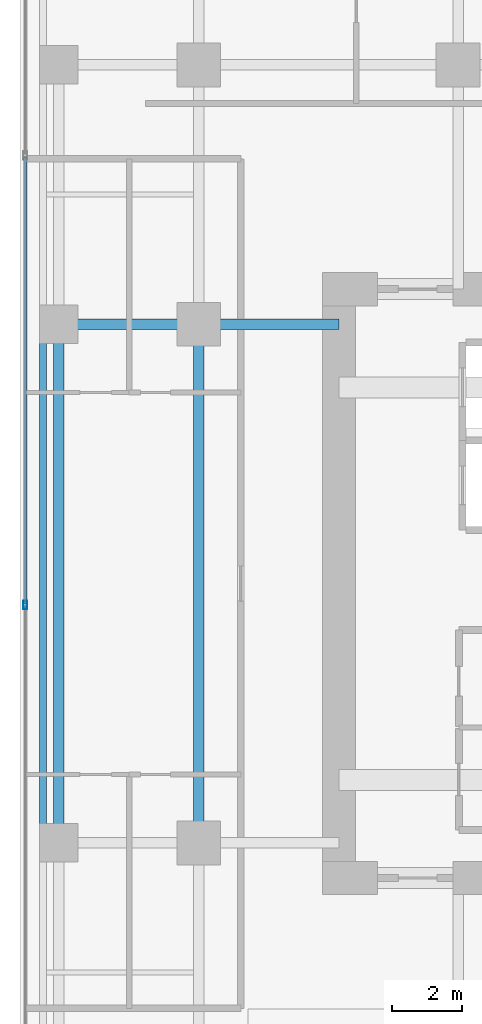
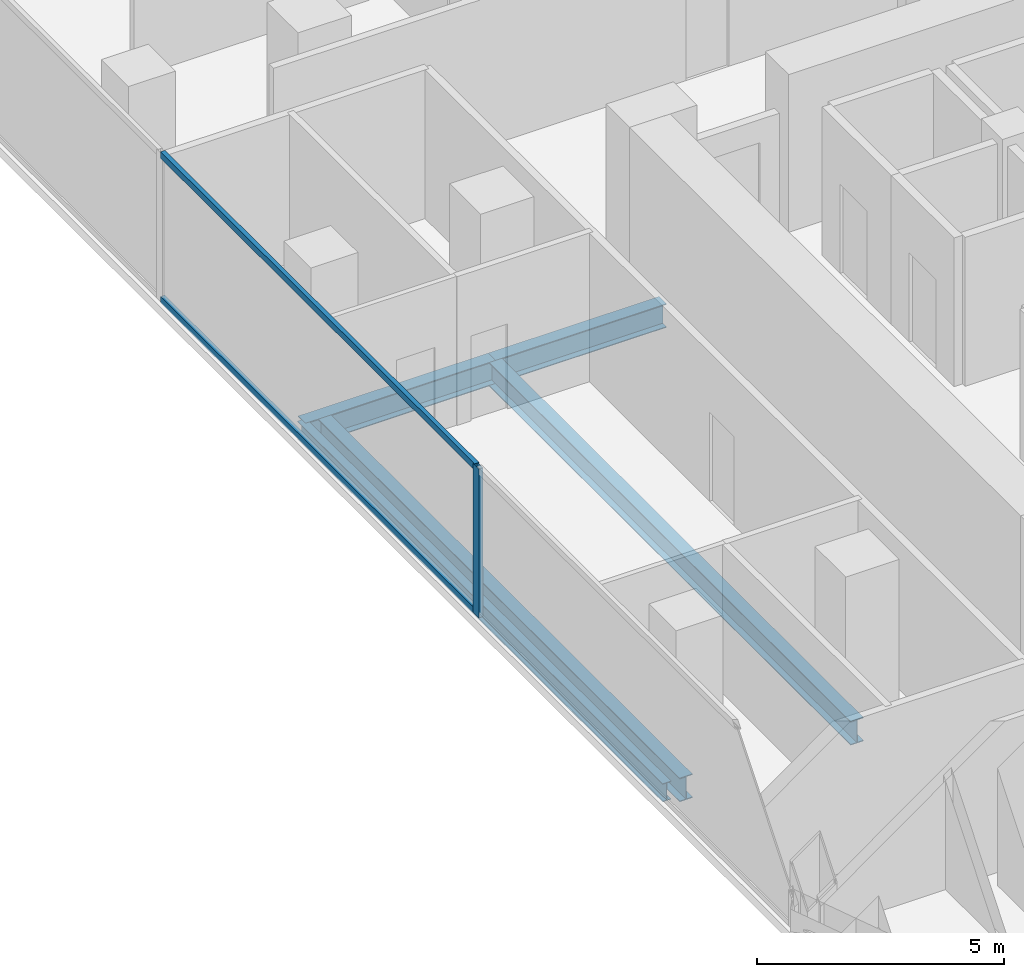
# One storey, part 6 of 27: 5 beams, 3 members, 1 element without a shape of its own.
"""IFC4 building model written with IfcOpenShell, lengths in metres."""

from ifc_helpers import new_model, si_unit, direction, frame, origin, origin_2d, place, context, subcontext, project, spatial, hollow_rectangle, i_section, extrude, material, layer, layer_set, material_profile, profile_set, type_object, element, aggregate, save


model = new_model("IFC4")

# Units and contexts
model_context = context("Model", 3, precision=1e-05, world=origin(), true_north=direction((0.0, 1.0)))
body_context = subcontext(model_context, "Body", "Model", "MODEL_VIEW")
ifc_project = project(units=[si_unit("LENGTHUNIT", "METRE"), si_unit("AREAUNIT", "SQUARE_METRE"), si_unit("VOLUMEUNIT", "CUBIC_METRE"), si_unit("PLANEANGLEUNIT", "RADIAN"), si_unit("MASSUNIT", "GRAM", prefix="KILO")], contexts=[model_context])

# Site, building, storey
site_placement = place(None, origin())
site = spatial("IfcSite", under=ifc_project, at=site_placement, CompositionType="ELEMENT")
building_placement = place(site_placement, origin())
building = spatial("IfcBuilding", under=site, at=building_placement, Name="Khorvyn Point Tower", CompositionType="ELEMENT")
storey_placement = place(building_placement, frame((0.0, 0.0, 129.0)))
storey = spatial("IfcBuildingStorey", under=building, at=storey_placement, Name="L32", CompositionType="ELEMENT", Elevation=129.0)

# Curtain wall, members
ifc_material_1 = material(Name="Anodised aluminium 6063-T6 and laminated Low-E glass", Category="aluminium")
ifc_layer = layer(ifc_material_1, 0.18994140625)
ifc_layer_set = layer_set([ifc_layer], Name="Stick-Built Acoustic Curtain Wall CW-SYS-03")
curtain_wall_type = type_object("IfcCurtainWallType", Name="Stick-Built Acoustic Curtain Wall CW-SYS-03", PredefinedType="NOTDEFINED", material=ifc_layer_set)
curtain_wall_placement = place(storey_placement, origin())
curtain_wall = element("IfcCurtainWall", 1, at=curtain_wall_placement, inside=storey, type_object=curtain_wall_type, Name="Curtain Wall", PredefinedType="NOTDEFINED")
ifc_material_2 = material(Name="Anodised aluminium 6063-T6", Category="aluminium")
ifc_material_profile_1 = material_profile(ifc_material_2, hollow_rectangle(XDim=0.10009765625, YDim=0.239990234375, WallThickness=0.0048828125, at=origin_2d()))
ifc_profile_set_1 = profile_set([ifc_material_profile_1], Name="Anodised aluminium 6063-T6 ALU-MUL-100x240")
member_type_1 = type_object("IfcMemberType", Name="Anodised Aluminium 6063-T6 Mullion ALU-MUL-100x240", PredefinedType="MULLION", material=ifc_profile_set_1)
member_1_placement = place(storey_placement, frame((-19.75, -0.61669921875, 0.0), z_axis=(0.0, 0.0, 1.0), x_axis=(-1.0, 0.0, 0.0)))
member_1 = element("IfcMember", 2, at=member_1_placement, type_object=member_type_1, Name="Transom", PredefinedType="MULLION", context=body_context, shape_type="SweptSolid", body=[
    extrude(hollow_rectangle(XDim=0.10009765625, YDim=0.239990234375, WallThickness=0.0048828125, at=origin_2d()), origin(), (0.0, 0.0, 1.0), 3.679931640625),
])
ifc_material_profile_2 = material_profile(ifc_material_2, hollow_rectangle(XDim=0.10009765625, YDim=0.159912109375, WallThickness=0.00439453125, at=origin_2d()))
ifc_profile_set_2 = profile_set([ifc_material_profile_2], Name="Anodised aluminium 6063-T6 ALU-TRN-100x160")
member_type_2 = type_object("IfcMemberType", Name="Anodised Aluminium 6063-T6 Transom ALU-TRN-100x160", PredefinedType="USERDEFINED", material=ifc_profile_set_2)
member_2_placement = place(storey_placement, frame((-19.75, -0.566650390625, 0.050048828125), z_axis=(0.0, 1.0, 0.0), x_axis=(-1.0, 0.0, 0.0)))
member_2 = element("IfcMember", 3, at=member_2_placement, type_object=member_type_2, Name="Transom", ObjectType="TRANSOM", PredefinedType="USERDEFINED", context=body_context, shape_type="SweptSolid", body=[
    extrude(hollow_rectangle(XDim=0.10009765625, YDim=0.159912109375, WallThickness=0.00439453125, at=origin_2d()), origin(), (0.0, 0.0, 1.0), 12.7333984375),
])
member_3_placement = place(storey_placement, frame((-19.75, -0.566650390625, 3.6298828125), z_axis=(0.0, 1.0, 0.0), x_axis=(-1.0, 0.0, 0.0)))
member_3 = element("IfcMember", 4, at=member_3_placement, type_object=member_type_2, Name="Transom", ObjectType="TRANSOM", PredefinedType="USERDEFINED", context=body_context, shape_type="SweptSolid", body=[
    extrude(hollow_rectangle(XDim=0.10009765625, YDim=0.159912109375, WallThickness=0.00439453125, at=origin_2d()), origin(), (0.0, 0.0, 1.0), 12.7333984375),
])
aggregate(curtain_wall, [member_1, member_2, member_3])

# Beams
ifc_material_3 = material(Name="Steel S355", Category="steel")
ifc_material_profile_3 = material_profile(ifc_material_3, i_section(OverallWidth=0.300048828125, OverallDepth=0.587890625, WebThickness=0.011962890625, FlangeThickness=0.02001953125, at=origin_2d()))
ifc_profile_set_3 = profile_set([ifc_material_profile_3], Name="Steel S355 H588x300x12x20")
beam_type_1 = type_object("IfcBeamType", Name="Steel S355 Beam H588x300x12x20", PredefinedType="BEAM", material=ifc_profile_set_3)
beam_1_placement = place(storey_placement, frame((-19.25, 7.39990234375, -0.513916015625), z_axis=(1.0, 0.0, 0.0), x_axis=(0.0, 1.0, 0.0)))
element("IfcBeam", 5, at=beam_1_placement, inside=storey, type_object=beam_type_1, Name="Beam", PredefinedType="BEAM", context=body_context, shape_type="SweptSolid", body=[
    extrude(i_section(OverallWidth=0.300048828125, OverallDepth=0.587890625, WebThickness=0.011962890625, FlangeThickness=0.02001953125, at=origin_2d()), origin(), (0.0, 0.0, 1.0), 4.449951171875),
])
beam_2_placement = place(storey_placement, frame((-14.800048828125, 7.39990234375, -0.513916015625), z_axis=(1.0, 0.0, 0.0), x_axis=(0.0, 1.0, 0.0)))
element("IfcBeam", 6, at=beam_2_placement, inside=storey, type_object=beam_type_1, Name="Beam", PredefinedType="BEAM", context=body_context, shape_type="SweptSolid", body=[
    extrude(i_section(OverallWidth=0.300048828125, OverallDepth=0.587890625, WebThickness=0.011962890625, FlangeThickness=0.02001953125, at=origin_2d()), origin(), (0.0, 0.0, 1.0), 4.0),
])
for number, where, z_axis, x_axis, name in (
    (7, (-14.800048828125, -7.39990234375, -0.513916015625), (0.0, 1.0, 0.0), (-1.0, 0.0, 0.0), "Beam"),
    (8, (-18.800048828125, -7.39990234375, -0.513916015625), (0.0, 1.0, 0.0), (-1.0, 0.0, 0.0), "Beam"),
):
    element("IfcBeam", number, at=place(storey_placement, frame(where, z_axis=z_axis, x_axis=x_axis)), inside=storey, type_object=beam_type_1, Name=name, PredefinedType="BEAM", context=body_context, shape_type="SweptSolid", body=[
        extrude(i_section(OverallWidth=0.300048828125, OverallDepth=0.587890625, WebThickness=0.011962890625, FlangeThickness=0.02001953125, at=origin_2d()), origin(), (0.0, 0.0, 1.0), 14.7998046875),
    ])
ifc_material_profile_4 = material_profile(ifc_material_3, i_section(OverallWidth=0.199951171875, OverallDepth=0.449951171875, WebThickness=0.009033203125, FlangeThickness=0.013916015625, at=origin_2d()))
ifc_profile_set_4 = profile_set([ifc_material_profile_4], Name="Steel S355 H450x200x9x14")
beam_type_2 = type_object("IfcBeamType", Name="Steel S355 Spandrel H450x200x9x14", PredefinedType="SPANDREL", material=ifc_profile_set_4)
beam_3_placement = place(storey_placement, frame((-19.25, -7.39990234375, -0.445068359375), z_axis=(0.0, 1.0, 0.0), x_axis=(-1.0, 0.0, 0.0)))
element("IfcBeam", 9, at=beam_3_placement, inside=storey, type_object=beam_type_2, Name="Beam", PredefinedType="SPANDREL", context=body_context, shape_type="SweptSolid", body=[
    extrude(i_section(OverallWidth=0.199951171875, OverallDepth=0.449951171875, WebThickness=0.009033203125, FlangeThickness=0.013916015625, at=origin_2d()), origin(), (0.0, 0.0, 1.0), 14.7998046875),
])

save(model, "model.ifc")
